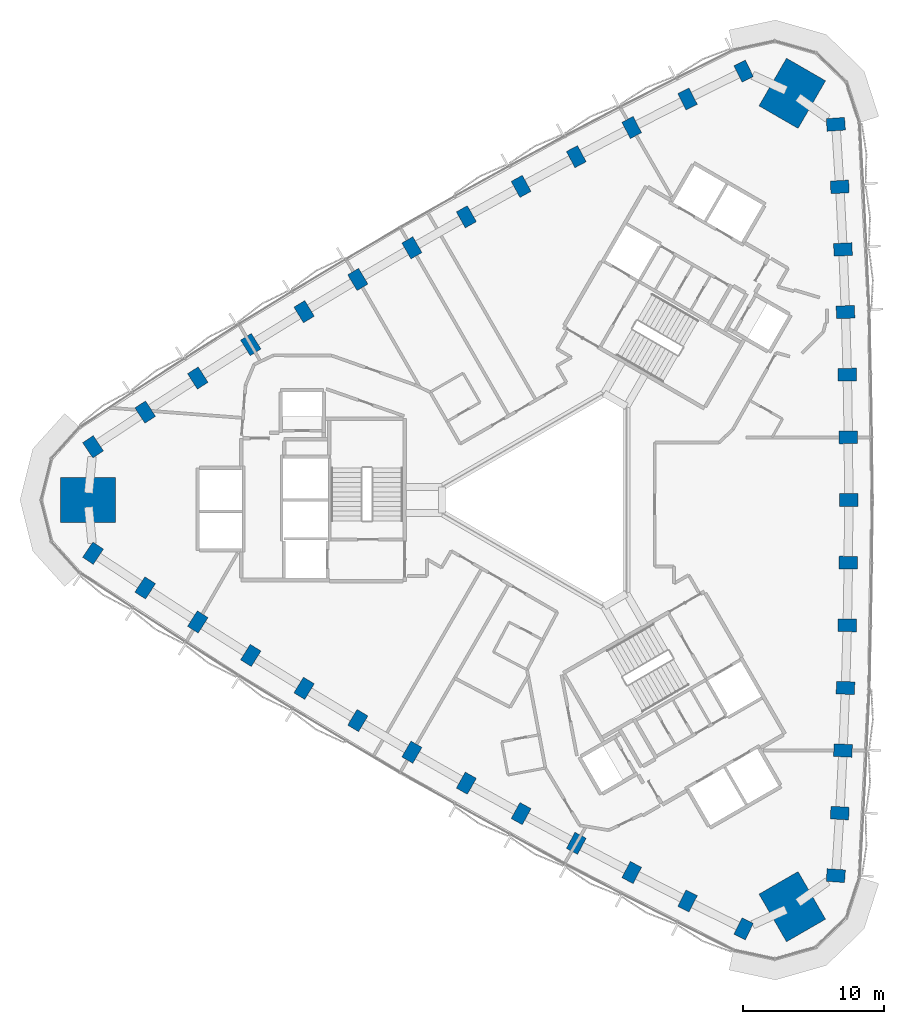
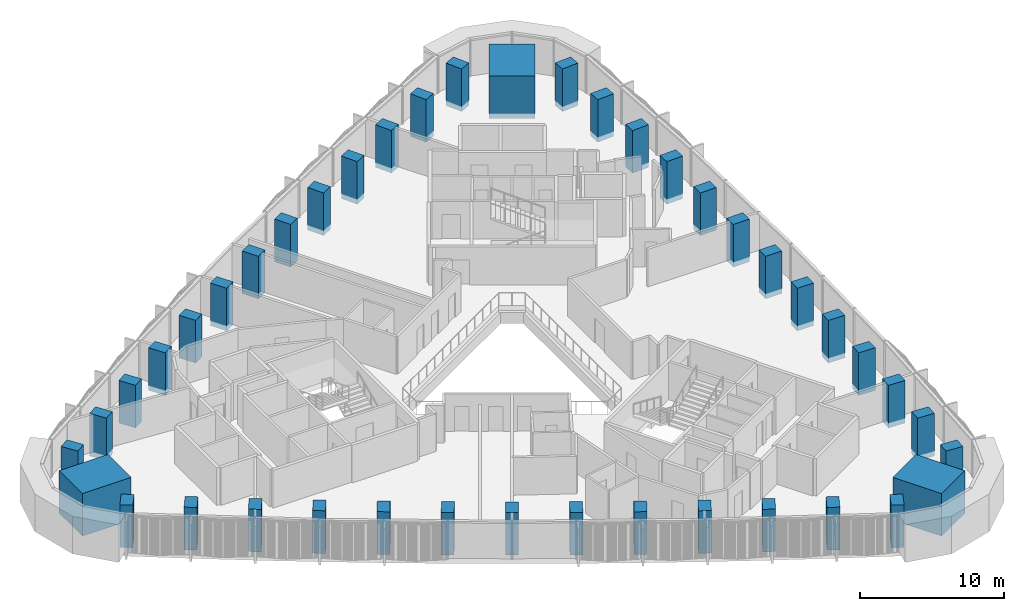
# One storey, part 1 of 15: 42 columns.
"""IFC4 building model written with IfcOpenShell, lengths in metres."""

from ifc_helpers import new_model, si_unit, direction, frame, origin, origin_2d, place, context, subcontext, project, spatial, rectangle, extrude, material, material_profile, profile_set, type_object, element, save


model = new_model("IFC4")

# Units and contexts
model_context = context("Model", 3, precision=1e-05, world=origin(), true_north=direction((0.0, 1.0)))
body_context = subcontext(model_context, "Body", "Model", "MODEL_VIEW")
ifc_project = project(units=[si_unit("LENGTHUNIT", "METRE"), si_unit("AREAUNIT", "SQUARE_METRE"), si_unit("VOLUMEUNIT", "CUBIC_METRE"), si_unit("PLANEANGLEUNIT", "RADIAN"), si_unit("MASSUNIT", "GRAM", prefix="KILO")], contexts=[model_context])

# Site, building, storey
site_placement = place(None, origin())
site = spatial("IfcSite", under=ifc_project, at=site_placement, CompositionType="ELEMENT")
building_placement = place(site_placement, origin())
building = spatial("IfcBuilding", under=site, at=building_placement, Name="Tamra Quay Hotel Tower", CompositionType="ELEMENT")
storey_placement = place(building_placement, frame((0.0, 0.0, 86.60009765625)))
storey = spatial("IfcBuildingStorey", under=building, at=storey_placement, Name="L20", CompositionType="ELEMENT", Elevation=86.60009765625)

# Columns
ifc_material = material(Name="Concrete M70", Category="concrete")
ifc_material_profile_1 = material_profile(ifc_material, rectangle(XDim=1.300048828125, YDim=0.89990234375, at=origin_2d()), Name="COLUMN RC 900x1300 Z2")
ifc_profile_set_1 = profile_set([ifc_material_profile_1], Name="Concrete M70")
column_type_1 = type_object("IfcColumnType", Name="COLUMN RC 900x1300 Z2", PredefinedType="COLUMN", material=ifc_profile_set_1)
for number, where, z_axis, x_axis, name in (
    (1, (19.746337890625, -26.648681640625, -0.425048828125), (0.0, 0.0, 1.0), (-0.997682497858, 0.068041409955, 0.0), "COL-C2E01-L20"),
    (2, (20.02490234375, -22.212158203125, -0.425048828125), (0.0, 0.0, 1.0), (-0.998368034899, 0.057107502941, 0.0), "COL-C2E02-L20"),
    (3, (20.2529296875, -17.773193359375, -0.425048828125), (0.0, 0.0, 1.0), (-0.99895467426, 0.04571169187, 0.0), "COL-C2E03-L20"),
    (4, (20.430419921875, -13.331787109375, -0.425048828125), (0.0, 0.0, 1.0), (-0.999411600314, 0.034299462929, 0.0), "COL-C2E04-L20"),
    (5, (20.557373046875, -8.888916015625, -0.425048828125), (0.0, 0.0, 1.0), (-0.999738355025, 0.022874035338, 0.0), "COL-C2E05-L20"),
    (6, (20.633544921875, -4.44482421875, -0.425048828125), (0.0, 0.0, 1.0), (-0.999934576635, 0.01143863846, 0.0), "COL-C2E06-L20"),
    (7, (20.658935546875, 0.0, -0.425048828125), (0.0, 0.0, 1.0), (1.0, 0.0, 0.0), "COL-C2E07-L20"),
    (8, (20.633544921875, 4.44482421875, -0.425048828125), (0.0, 0.0, 1.0), (0.999934576635, 0.01143863846, 0.0), "COL-C2E08-L20"),
    (9, (20.557373046875, 8.888916015625, -0.425048828125), (0.0, 0.0, 1.0), (0.999738355025, 0.022874035338, 0.0), "COL-C2E09-L20"),
    (10, (20.430419921875, 13.331787109375, -0.425048828125), (0.0, 0.0, 1.0), (0.999411600314, 0.034299462929, 0.0), "COL-C2E10-L20"),
    (11, (20.2529296875, 17.773193359375, -0.425048828125), (0.0, 0.0, 1.0), (0.99895467426, 0.04571169187, 0.0), "COL-C2E11-L20"),
    (12, (20.02490234375, 22.212158203125, -0.425048828125), (0.0, 0.0, 1.0), (0.998368034899, 0.057107502941, 0.0), "COL-C2E12-L20"),
    (13, (19.746337890625, 26.648681640625, -0.425048828125), (0.0, 0.0, 1.0), (0.997682497858, 0.068041409955, 0.0), "COL-C2E13-L20"),
    (14, (13.205078125, 30.425048828125, -0.425048828125), (0.0, 0.0, 1.0), (-0.439915659398, 0.898039093033, 0.0), "COL-C2NW01-L20"),
    (15, (9.223876953125, 28.4482421875, -0.425048828125), (0.0, 0.0, 1.0), (-0.449727469156, 0.893165832019, 0.0), "COL-C2NW02-L20"),
    (16, (5.265625, 26.42626953125, -0.425048828125), (0.0, 0.0, 1.0), (-0.459889850721, 0.887975971074, 0.0), "COL-C2NW03-L20"),
    (17, (1.33056640625, 24.359375, -0.425048828125), (0.0, 0.0, 1.0), (-0.470001593924, 0.882665566174, 0.0), "COL-C2NW04-L20"),
    (18, (-2.580810546875, 22.247802734375, -0.425048828125), (0.0, 0.0, 1.0), (-0.480059681822, 0.877235830258, 0.0), "COL-C2NW05-L20"),
    (19, (-6.467529296875, 20.091552734375, -0.425048828125), (0.0, 0.0, 1.0), (-0.490061136827, 0.871688064718, 0.0), "COL-C2NW06-L20"),
    (20, (-10.32958984375, 17.89111328125, -0.425048828125), (0.0, 0.0, 1.0), (-0.5, 0.866025403784, 0.0), "COL-C2NW07-L20"),
    (21, (-14.166015625, 15.646728515625, -0.425048828125), (0.0, 0.0, 1.0), (-0.509873439808, 0.860249426259, 0.0), "COL-C2NW08-L20"),
    (22, (-17.976806640625, 13.35888671875, -0.425048828125), (0.0, 0.0, 1.0), (-0.519678673202, 0.85436179492, 0.0), "COL-C2NW09-L20"),
    (23, (-21.760986328125, 11.02734375, -0.425048828125), (0.0, 0.0, 1.0), (-0.52941000639, 0.848366103245, 0.0), "COL-C2NW10-L20"),
    (24, (-25.5185546875, 8.653076171875, -0.425048828125), (0.0, 0.0, 1.0), (-0.539064823539, 0.842264279204, 0.0), "COL-C2NW11-L20"),
    (25, (-29.248779296875, 6.23583984375, -0.425048828125), (0.0, 0.0, 1.0), (-0.548640565743, 0.836058329078, 0.0), "COL-C2NW12-L20"),
    (26, (-32.951416015625, 3.776611328125, -0.425048828125), (0.0, 0.0, 1.0), (-0.557766838459, 0.829997683078, 0.0), "COL-C2NW13-L20"),
    (27, (-32.951416015625, -3.776611328125, -0.425048828125), (0.0, 0.0, 1.0), (0.557766838459, 0.829997683078, 0.0), "COL-C2SW01-L20"),
    (28, (-29.248779296875, -6.23583984375, -0.425048828125), (0.0, 0.0, 1.0), (0.548640565743, 0.836058329078, 0.0), "COL-C2SW02-L20"),
    (29, (-25.5185546875, -8.653076171875, -0.425048828125), (0.0, 0.0, 1.0), (0.539064823539, 0.842264279204, 0.0), "COL-C2SW03-L20"),
    (30, (-21.760986328125, -11.02734375, -0.425048828125), (0.0, 0.0, 1.0), (0.52941000639, 0.848366103245, 0.0), "COL-C2SW04-L20"),
    (31, (-17.976806640625, -13.35888671875, -0.425048828125), (0.0, 0.0, 1.0), (0.519678673202, 0.85436179492, 0.0), "COL-C2SW05-L20"),
    (32, (-14.166015625, -15.646728515625, -0.425048828125), (0.0, 0.0, 1.0), (0.509873439808, 0.860249426259, 0.0), "COL-C2SW06-L20"),
    (33, (-10.32958984375, -17.89111328125, -0.425048828125), (0.0, 0.0, 1.0), (0.5, 0.866025403784, 0.0), "COL-C2SW07-L20"),
    (34, (-6.467529296875, -20.091552734375, -0.425048828125), (0.0, 0.0, 1.0), (0.490061136827, 0.871688064718, 0.0), "COL-C2SW08-L20"),
    (35, (-2.580810546875, -22.247802734375, -0.425048828125), (0.0, 0.0, 1.0), (0.480059681822, 0.877235830258, 0.0), "COL-C2SW09-L20"),
    (36, (1.33056640625, -24.359375, -0.425048828125), (0.0, 0.0, 1.0), (0.470001593924, 0.882665566174, 0.0), "COL-C2SW10-L20"),
    (37, (5.265625, -26.42626953125, -0.425048828125), (0.0, 0.0, 1.0), (0.459889850721, 0.887975971074, 0.0), "COL-C2SW11-L20"),
    (38, (9.223876953125, -28.4482421875, -0.425048828125), (0.0, 0.0, 1.0), (0.449727469156, 0.893165832019, 0.0), "COL-C2SW12-L20"),
    (39, (13.205078125, -30.425048828125, -0.425048828125), (0.0, 0.0, 1.0), (0.439915659398, 0.898039093033, 0.0), "COL-C2SW13-L20"),
):
    element("IfcColumn", number, at=place(storey_placement, frame(where, z_axis=z_axis, x_axis=x_axis)), inside=storey, type_object=column_type_1, Name=name, PredefinedType="COLUMN", context=body_context, shape_type="SweptSolid", body=[
        extrude(rectangle(XDim=1.300048828125, YDim=0.89990234375, at=origin_2d()), origin(), (0.0, 0.0, 1.0), 3.599853515625),
    ])
ifc_material_profile_2 = material_profile(ifc_material, rectangle(XDim=3.89990234375, YDim=3.199951171875, at=origin_2d()), Name="MEGA COLUMN RC 3200x3900 Z2")
ifc_profile_set_2 = profile_set([ifc_material_profile_2], Name="Concrete M70")
column_type_2 = type_object("IfcColumnType", Name="MEGA COLUMN RC 3200x3900 Z2", PredefinedType="COLUMN", material=ifc_profile_set_2)
for number, where, z_axis, x_axis, name in (
    (40, (16.65673828125, 28.8505859375, -0.425048828125), (0.0, 0.0, 1.0), (0.5, 0.866025403784, 0.0), "COL-M2NE-L20"),
    (41, (-33.313720703125, 0.0, -0.425048828125), (0.0, 0.0, 1.0), (1.0, 0.0, 0.0), "COL-M2W-L20"),
    (42, (16.65673828125, -28.8505859375, -0.425048828125), (0.0, 0.0, 1.0), (-0.5, 0.866025403784, 0.0), "COL-M2SE-L20"),
):
    element("IfcColumn", number, at=place(storey_placement, frame(where, z_axis=z_axis, x_axis=x_axis)), inside=storey, type_object=column_type_2, Name=name, PredefinedType="COLUMN", context=body_context, shape_type="SweptSolid", body=[
        extrude(rectangle(XDim=3.89990234375, YDim=3.199951171875, at=origin_2d()), origin(), (0.0, 0.0, 1.0), 3.599853515625),
    ])

save(model, "model.ifc")
